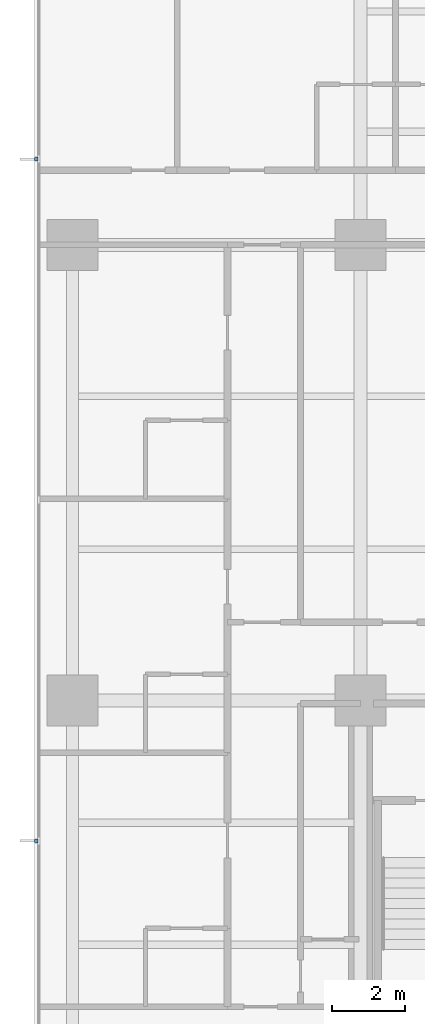
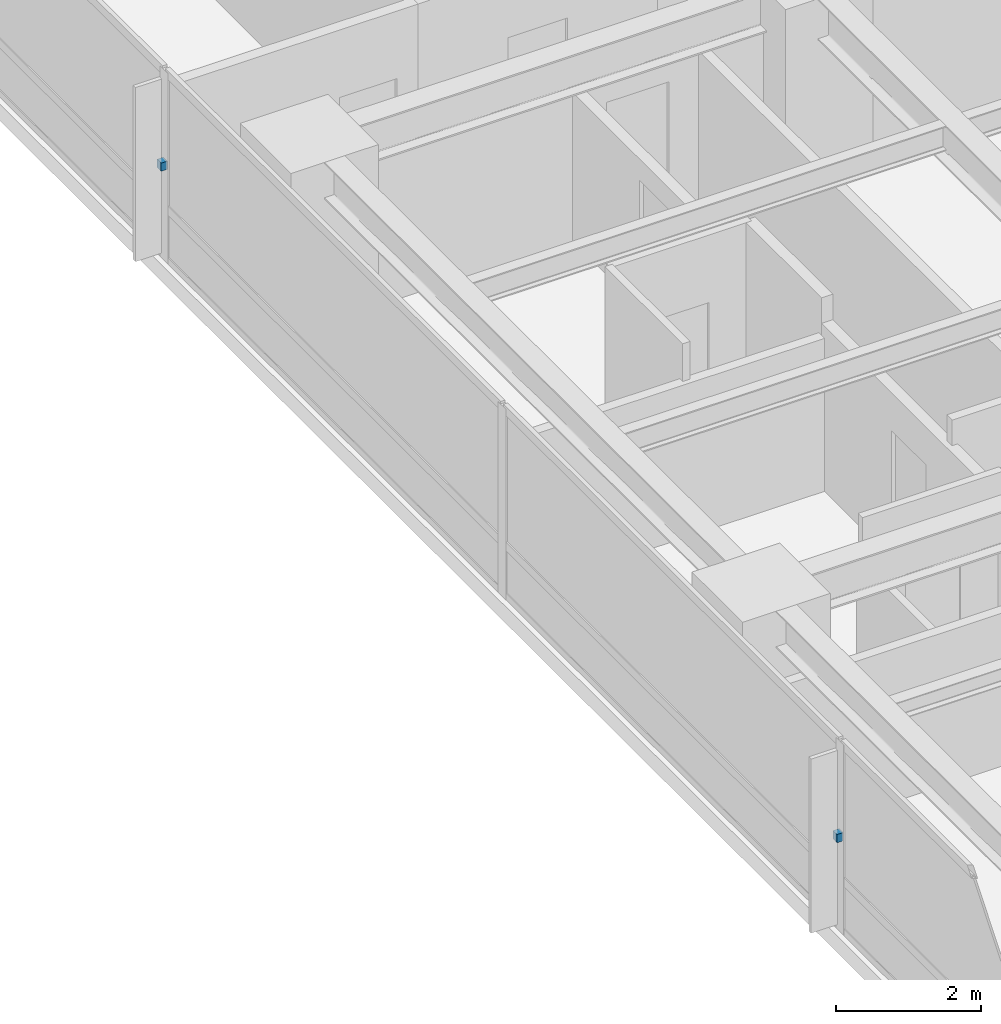
# One storey, part 12 of 16: 2 discrete accessories.
"""IFC4 building model written with IfcOpenShell, lengths in metres."""

from ifc_helpers import new_model, si_unit, direction, frame, origin, place, context, subcontext, project, spatial, polyline, outline, extrude, material, type_object, element, save


model = new_model("IFC4")

# Units and contexts
model_context = context("Model", 3, precision=1e-05, world=origin(), true_north=direction((0.0, 1.0)))
body_context = subcontext(model_context, "Body", "Model", "MODEL_VIEW")
ifc_project = project(units=[si_unit("LENGTHUNIT", "METRE"), si_unit("AREAUNIT", "SQUARE_METRE"), si_unit("VOLUMEUNIT", "CUBIC_METRE"), si_unit("PLANEANGLEUNIT", "RADIAN"), si_unit("MASSUNIT", "GRAM", prefix="KILO")], contexts=[model_context])

# Site, building, storey
site_placement = place(None, origin())
site = spatial("IfcSite", under=ifc_project, at=site_placement, CompositionType="ELEMENT")
building_placement = place(site_placement, origin())
building = spatial("IfcBuilding", under=site, at=building_placement, Name="Qalmaran Belvedere Hotel", CompositionType="ELEMENT")
storey_placement = place(building_placement, frame((0.0, 0.0, 36.89990234375)))
storey = spatial("IfcBuildingStorey", under=building, at=storey_placement, Name="L08", CompositionType="ELEMENT", Elevation=36.89990234375)

# Discrete accessories
ifc_material = material(Name="Stainless Steel 1.4401", Category="steel")
discrete_accessory_type = type_object("IfcDiscreteAccessoryType", Name="BRK-FIN-SS316", PredefinedType="BRACKET", material=ifc_material)
discrete_accessory_1_placement = place(storey_placement, frame((0.0, 0.0, 1.56005859375)))
element("IfcDiscreteAccessory", 1, at=discrete_accessory_1_placement, inside=storey, type_object=discrete_accessory_type, Name="L08 Fin Bracket 1", PredefinedType="BRACKET", context=body_context, shape_type="SweptSolid", body=[
    extrude(outline(polyline([(11.455078125, 35.405029296875), (11.357421875, 35.405029296875), (11.357421875, 35.294921875), (11.455078125, 35.294921875), (11.455078125, 35.405029296875)])), origin(), (0.0, 0.0, 1.0), 0.14013671875),
])
discrete_accessory_2_placement = place(storey_placement, frame((0.0, 0.0, 1.56005859375)))
element("IfcDiscreteAccessory", 2, at=discrete_accessory_2_placement, inside=storey, type_object=discrete_accessory_type, Name="L08 Fin Bracket 3", PredefinedType="BRACKET", context=body_context, shape_type="SweptSolid", body=[
    extrude(outline(polyline([(11.455078125, 16.705078125), (11.357421875, 16.705078125), (11.357421875, 16.594970703125), (11.455078125, 16.594970703125), (11.455078125, 16.705078125)])), origin(), (0.0, 0.0, 1.0), 0.14013671875),
])

save(model, "model.ifc")
